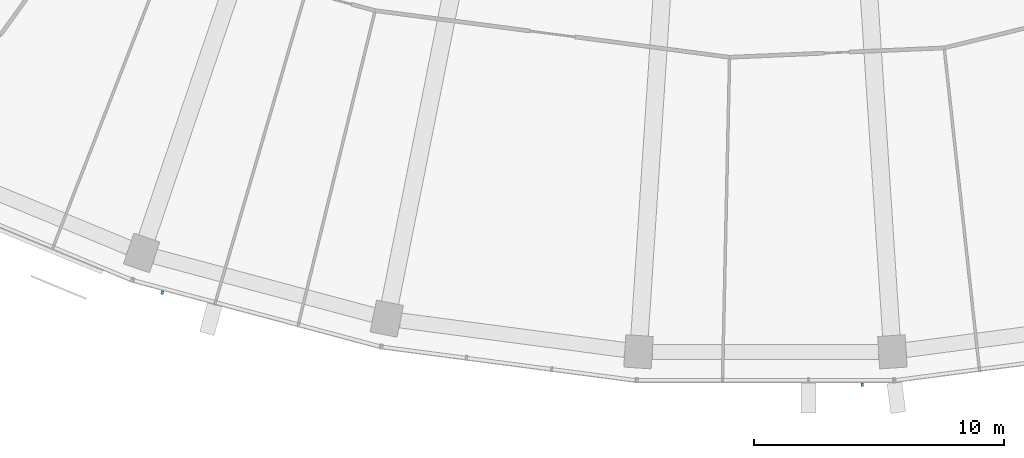
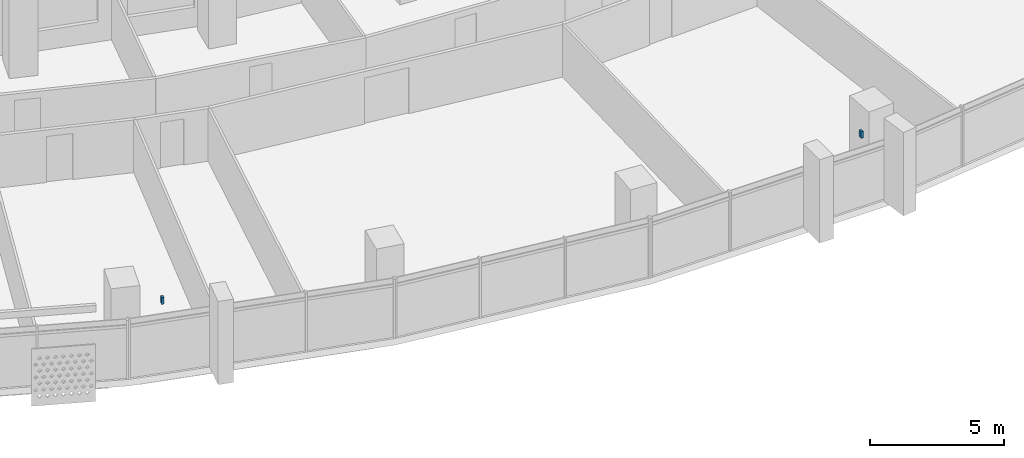
# One storey, part 9 of 26: 2 discrete accessories.
"""IFC4 building model written with IfcOpenShell, lengths in metres."""

import ifcopenshell
import ifcopenshell.guid

model = None  # the IFC model being written
_history = None  # IfcOwnerHistory: only IFC2X3 demands one
_inside = {}  # id of a spatial element -> (the spatial element, [elements in it])
_under = {}  # id of a project, library or spatial element -> (it, [spatial elements below it])
_declared = {}  # id of a project -> (the project, [libraries it declares])
_typed = {}  # id of a type object -> (the type object, [elements of that type])
_made_of = {}  # id of a material, layer set ... -> (it, [elements and type objects made of it])


def new_model(schema):
    """Start an empty IFC model of exactly this schema.

    Asked for "IFC4X3", IfcOpenShell would pick the latest addendum, in which some entities
    have other attributes; the version numbers below select the first issue.
    IFC2X3 requires an IfcOwnerHistory on every rooted entity: one is made here for all.
    """
    global model, _history
    if schema == "IFC4X3":
        model = ifcopenshell.file(schema_version=(4, 3, 0, 0))
    else:
        model = ifcopenshell.file(schema=schema)
    _inside.clear()
    _under.clear()
    _declared.clear()
    _typed.clear()
    _made_of.clear()
    _history = None
    if model.schema == "IFC2X3":
        org = make("IfcOrganization", Name="unknown")
        user = make(
            "IfcPersonAndOrganization",
            ThePerson=make("IfcPerson", FamilyName="unknown"),
            TheOrganization=org,
        )
        app = make(
            "IfcApplication",
            ApplicationDeveloper=org,
            Version="unknown",
            ApplicationFullName="unknown",
            ApplicationIdentifier="unknown",
        )
        _history = make(
            "IfcOwnerHistory",
            OwningUser=user,
            OwningApplication=app,
            ChangeAction="ADDED",
            CreationDate=0,
        )
    return model


def make(cls, **values):
    """One entity of the class cls with the attributes given. An attribute that is None is left unset."""
    return model.create_entity(
        cls, **{name: value for name, value in values.items() if value is not None}
    )


def rooted(cls, **values):
    """An entity with a GlobalId (a new one), such as an element, a storey or a relation."""
    return make(cls, GlobalId=ifcopenshell.guid.new(), OwnerHistory=_history, **values)


def si_unit(unit_type, name, prefix=None):
    """IfcSIUnit, for example si_unit("LENGTHUNIT", "METRE", prefix="MILLI")."""
    return make("IfcSIUnit", UnitType=unit_type, Prefix=prefix, Name=name)


def assignment(units):
    """IfcUnitAssignment: the units of a project."""
    return None if units is None else make("IfcUnitAssignment", Units=units)


def point(xyz):
    """IfcCartesianPoint."""
    return None if xyz is None else make("IfcCartesianPoint", Coordinates=xyz)


def direction(xyz):
    """IfcDirection."""
    return None if xyz is None else make("IfcDirection", DirectionRatios=xyz)


def frame(location, z_axis=None, x_axis=None):
    """IfcAxis2Placement3D, a coordinate frame: its origin and axes. An axis left out is left unset."""
    return make(
        "IfcAxis2Placement3D",
        Location=point(location),
        Axis=direction(z_axis),
        RefDirection=direction(x_axis),
    )


def frame_2d(location, x_axis=None):
    """IfcAxis2Placement2D, a coordinate frame in the plane: its origin and x axis."""
    return make(
        "IfcAxis2Placement2D", Location=point(location), RefDirection=direction(x_axis)
    )


def origin():
    """The frame at (0, 0, 0) with its axes left unset."""
    return frame((0.0, 0.0, 0.0))


def origin_2d():
    """The frame at (0, 0) in the plane with its x axis left unset."""
    return frame_2d((0.0, 0.0))


def place(relative_to, where):
    """IfcLocalPlacement: puts the frame where relative to a parent placement (None: the world)."""
    return make(
        "IfcLocalPlacement", PlacementRelTo=relative_to, RelativePlacement=where
    )


def context(
    kind, dimensions, precision=None, world=None, true_north=None, identifier=None
):
    """IfcGeometricRepresentationContext, for example the 3D "Model" context."""
    return make(
        "IfcGeometricRepresentationContext",
        ContextIdentifier=identifier,
        ContextType=kind,
        CoordinateSpaceDimension=dimensions,
        Precision=precision,
        WorldCoordinateSystem=world,
        TrueNorth=true_north,
    )


def subcontext(parent, identifier, kind, view, scale=None):
    """IfcGeometricRepresentationSubContext, for example "Body" below "Model"."""
    return make(
        "IfcGeometricRepresentationSubContext",
        ContextIdentifier=identifier,
        ContextType=kind,
        ParentContext=parent,
        TargetScale=scale,
        TargetView=view,
    )


def project(units=None, contexts=None):
    """IfcProject with its units and contexts."""
    return rooted(
        "IfcProject",
        Name="project",
        RepresentationContexts=contexts,
        UnitsInContext=assignment(units),
    )


def spatial(cls, under=None, at=None, **own):
    """A site, building, storey or space (cls), placed at a placement, below another one or the project."""
    s = rooted(cls, ObjectPlacement=at, **own)
    if under is not None:
        _under.setdefault(under.id(), (under, []))[1].append(s)
    return s


def profile(cls, at=None, kind="AREA", **sizes):
    """A parametric profile (cls). Its sizes go by their IFC names, for example OverallWidth=200.0."""
    return make(cls, ProfileType=kind, Position=at, **sizes)


def rectangle(**sizes):
    """IfcRectangleProfileDef."""
    return profile("IfcRectangleProfileDef", **sizes)


def extrude(swept, where, along, depth):
    """IfcExtrudedAreaSolid: the profile swept, set in the frame where, extruded along a direction by depth."""
    return make(
        "IfcExtrudedAreaSolid",
        SweptArea=swept,
        Position=where,
        ExtrudedDirection=direction(along),
        Depth=depth,
    )


def shape(context_of_items, identifier, shape_type, items):
    """IfcShapeRepresentation: the items that make up one representation, for example the "Body"."""
    return make(
        "IfcShapeRepresentation",
        ContextOfItems=context_of_items,
        RepresentationIdentifier=identifier,
        RepresentationType=shape_type,
        Items=items,
    )


def material(Name=None, Category=None):
    """IfcMaterial."""
    return make("IfcMaterial", Name=Name, Category=Category)


def made_of(thing, what):
    """Note that an element or type object is made of a material, layer set ...; save() writes the relation."""
    if what is not None:
        _made_of.setdefault(what.id(), (what, []))[1].append(thing)
    return thing


def type_object(cls, material=None, **own):
    """A type object (cls), such as IfcWallType, which elements share."""
    return made_of(rooted(cls, **own), material)


def element(
    cls,
    number,
    at=None,
    inside=None,
    cuts=None,
    type_object=None,
    material=None,
    context=None,
    identifier="Body",
    shape_type=None,
    held_by="IfcProductDefinitionShape",
    body=None,
    shapes=None,
    **own,
):
    """One element of the class cls, such as IfcWall. Its Tag is "e" and its number.

    at: its placement. inside: the storey or other place that contains it. cuts: it is an
    opening in that element (IfcRelVoidsElement). A single representation is given by context,
    identifier, shape_type and body (its items); several are given by shapes. held_by: the class
    of the entity that holds the representations. save() writes the other relations.
    """
    e = rooted(cls, Tag="e%d" % number, ObjectPlacement=at, **own)
    if body is not None:
        shapes = [shape(context, identifier, shape_type, body)]
    if shapes is not None:
        e.Representation = make(held_by, Representations=shapes)
    if inside is not None:
        _inside.setdefault(inside.id(), (inside, []))[1].append(e)
    if cuts is not None:
        rooted(
            "IfcRelVoidsElement", RelatingBuildingElement=cuts, RelatedOpeningElement=e
        )
    if type_object is not None:
        _typed.setdefault(type_object.id(), (type_object, []))[1].append(e)
    return made_of(e, material)


def aggregate(whole, parts):
    """IfcRelAggregates: a whole, such as a stair, and the parts it consists of."""
    return rooted("IfcRelAggregates", RelatingObject=whole, RelatedObjects=parts)


def save(model, path):
    """Write the relations noted so far, then the file.

    IfcRelAggregates (storeys below a building ...), IfcRelContainedInSpatialStructure (elements
    in a storey), IfcRelDefinesByType, IfcRelAssociatesMaterial and IfcRelDeclares: one each for
    every whole, place, type object, material and project.
    """
    for whole, parts in _under.values():
        aggregate(whole, parts)
    for where, things in _inside.values():
        rooted(
            "IfcRelContainedInSpatialStructure",
            RelatedElements=things,
            RelatingStructure=where,
        )
    for kind, things in _typed.values():
        rooted("IfcRelDefinesByType", RelatedObjects=things, RelatingType=kind)
    for what, things in _made_of.values():
        rooted("IfcRelAssociatesMaterial", RelatedObjects=things, RelatingMaterial=what)
    for by, libraries in _declared.values():
        rooted("IfcRelDeclares", RelatingContext=by, RelatedDefinitions=libraries)
    model.write(path)


model = new_model("IFC4")

# Units and contexts
model_context = context("Model", 3, precision=1e-05, world=origin(), true_north=direction((0.0, 1.0)))
body_context = subcontext(model_context, "Body", "Model", "MODEL_VIEW")
ifc_project = project(units=[si_unit("LENGTHUNIT", "METRE"), si_unit("AREAUNIT", "SQUARE_METRE"), si_unit("VOLUMEUNIT", "CUBIC_METRE"), si_unit("PLANEANGLEUNIT", "RADIAN"), si_unit("MASSUNIT", "GRAM", prefix="KILO")], contexts=[model_context])

# Site, building, storey
site_placement = place(None, origin())
site = spatial("IfcSite", under=ifc_project, at=site_placement, CompositionType="ELEMENT")
building_placement = place(site_placement, origin())
building = spatial("IfcBuilding", under=site, at=building_placement, Name="Qamariyya Broadcast Tower", CompositionType="ELEMENT")
storey_placement = place(building_placement, frame((0.0, 0.0, 183.5)))
storey = spatial("IfcBuildingStorey", under=building, at=storey_placement, Name="L43", CompositionType="ELEMENT", Elevation=183.5)

# Discrete accessories
ifc_material = material(Name="Stainless steel 316", Category="steel")
discrete_accessory_type = type_object("IfcDiscreteAccessoryType", Name="Slab edge fixing angle, stainless steel", PredefinedType="BRACKET", material=ifc_material)
for number, where, z_axis, x_axis, name in (
    (1, (-24.16552734375, -75.21435546875, 3.2998046875), (0.0, 0.0, 1.0), (0.965925826289, -0.258819045103, 0.0), "e-br-L43-05-0"),
    (2, (3.875244140625, -78.90576171875, 3.2998046875), (0.0, 0.0, 1.0), (1.0, 0.0, 0.0), "e-br-L43-07-0"),
):
    element("IfcDiscreteAccessory", number, at=place(storey_placement, frame(where, z_axis=z_axis, x_axis=x_axis)), inside=storey, type_object=discrete_accessory_type, Name=name, PredefinedType="BRACKET", context=body_context, shape_type="SweptSolid", body=[
        extrude(rectangle(XDim=0.10009765625, YDim=0.14990234375, at=origin_2d()), origin(), (0.0, 0.0, 1.0), 0.300048828125),
    ])

save(model, "model.ifc")
